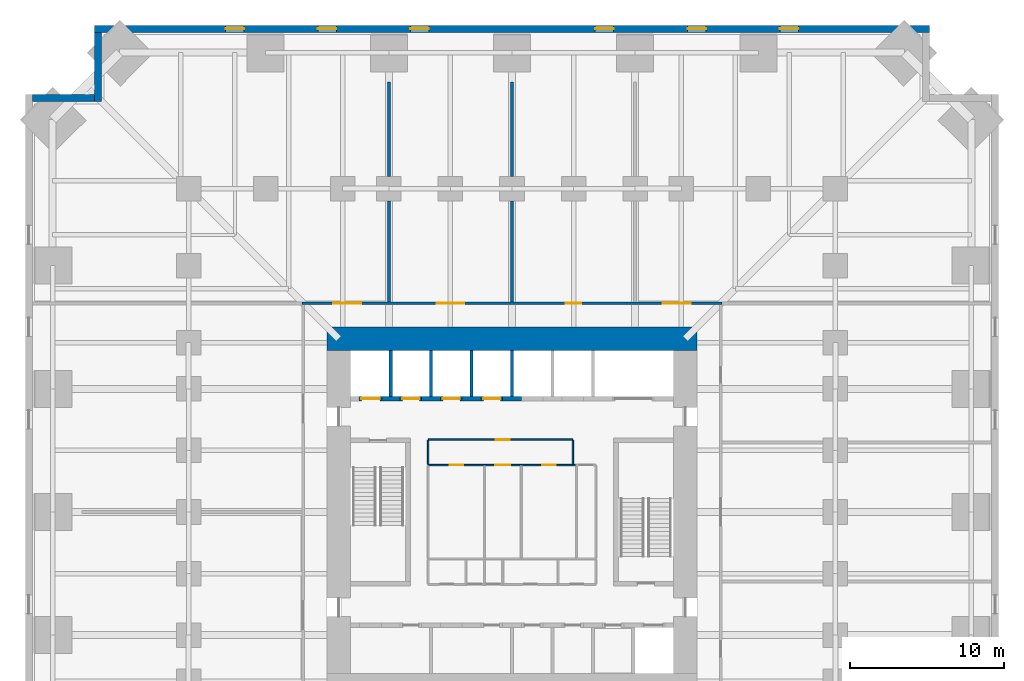
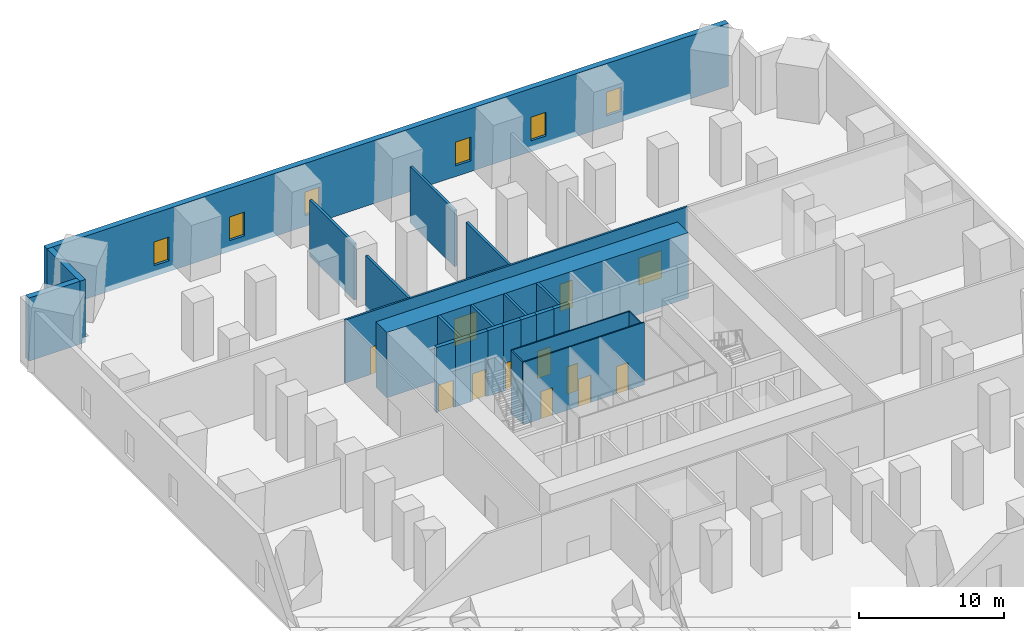
# One storey, part 6 of 8: 25 walls, 12 doors, 6 windows, 18 openings.
"""IFC4 building model written with IfcOpenShell, lengths in metres."""

from ifc_helpers import new_model, si_unit, direction, frame, frame_2d, origin, place, context, subcontext, project, spatial, rectangle, extrude, material, layer, layer_set, type_object, element, fill, save


model = new_model("IFC4")

# Units and contexts
model_context = context("Model", 3, precision=1e-05, world=origin(), true_north=direction((0.0, 1.0)))
body_context = subcontext(model_context, "Body", "Model", "MODEL_VIEW")
ifc_project = project(units=[si_unit("LENGTHUNIT", "METRE"), si_unit("AREAUNIT", "SQUARE_METRE"), si_unit("VOLUMEUNIT", "CUBIC_METRE"), si_unit("PLANEANGLEUNIT", "RADIAN"), si_unit("MASSUNIT", "GRAM", prefix="KILO")], contexts=[model_context])

# Site, building, storey
site_placement = place(None, origin())
site = spatial("IfcSite", under=ifc_project, at=site_placement, CompositionType="ELEMENT")
building_placement = place(site_placement, origin())
building = spatial("IfcBuilding", under=site, at=building_placement, Name="Peilmerk Tower", CompositionType="ELEMENT")
storey_placement = place(building_placement, frame((0.0, 0.0, 26.5)))
storey = spatial("IfcBuildingStorey", under=building, at=storey_placement, Name="L05", CompositionType="ELEMENT", Elevation=26.5)

# Wall, openings, windows
ifc_material_1 = material(Name="Precast concrete C45/55, board-marked finish", Category="concrete")
ifc_layer_1 = layer(ifc_material_1, 0.449951171875)
ifc_layer_set_1 = layer_set([ifc_layer_1], Name="Precast concrete C45/55, board-marked finish")
wall_type_1 = type_object("IfcWallType", Name="EW1 450 precast concrete facade wall, board-marked", PredefinedType="SOLIDWALL", material=ifc_layer_set_1)
wall_1_placement = place(storey_placement, frame((27.10009765625, 31.375, 0.0), z_axis=(0.0, 0.0, 1.0), x_axis=(-1.0, 0.0, 0.0)))
wall_1 = element("IfcWall", 1, at=wall_1_placement, inside=storey, type_object=wall_type_1, Name="Facade wall N L05", PredefinedType="SOLIDWALL", context=body_context, shape_type="SweptSolid", body=[
    extrude(rectangle(XDim=54.2001953125, YDim=0.449951171875, at=frame_2d((27.10009765625, 0.0))), origin(), (0.0, 0.0, 1.0), 5.300048828125),
])
opening_1_placement = place(wall_1_placement, frame((8.5, 0.0, 0.89990234375)))
opening_1 = element("IfcOpeningElement", 2, at=opening_1_placement, cuts=wall_1, Name="Opening W2", PredefinedType="OPENING", context=body_context, shape_type="SweptSolid", body=[
    extrude(rectangle(XDim=1.199951171875, YDim=2.0, at=frame_2d((0.60009765625, 1.0))), frame((0.0, 0.23486328125, 0.0), z_axis=(0.0, -1.0, 0.0), x_axis=(1.0, 0.0, 0.0)), (0.0, 0.0, 1.0), 0.469970703125),
])
opening_2_placement = place(wall_1_placement, frame((14.5, 0.0, 0.89990234375)))
opening_2 = element("IfcOpeningElement", 3, at=opening_2_placement, cuts=wall_1, Name="Opening W2", PredefinedType="OPENING", context=body_context, shape_type="SweptSolid", body=[
    extrude(rectangle(XDim=1.199951171875, YDim=2.0, at=frame_2d((0.60009765625, 1.0))), frame((0.0, 0.23486328125, 0.0), z_axis=(0.0, -1.0, 0.0), x_axis=(1.0, 0.0, 0.0)), (0.0, 0.0, 1.0), 0.469970703125),
])
opening_3_placement = place(wall_1_placement, frame((20.5, 0.0, 0.89990234375)))
opening_3 = element("IfcOpeningElement", 4, at=opening_3_placement, cuts=wall_1, Name="Opening W2", PredefinedType="OPENING", context=body_context, shape_type="SweptSolid", body=[
    extrude(rectangle(XDim=1.199951171875, YDim=2.0, at=frame_2d((0.60009765625, 1.0))), frame((0.0, 0.23486328125, 0.0), z_axis=(0.0, -1.0, 0.0), x_axis=(1.0, 0.0, 0.0)), (0.0, 0.0, 1.0), 0.469970703125),
])
opening_4_placement = place(wall_1_placement, frame((32.5, 0.0, 0.89990234375)))
opening_4 = element("IfcOpeningElement", 5, at=opening_4_placement, cuts=wall_1, Name="Opening W2", PredefinedType="OPENING", context=body_context, shape_type="SweptSolid", body=[
    extrude(rectangle(XDim=1.199951171875, YDim=2.0, at=frame_2d((0.60009765625, 1.0))), frame((0.0, 0.23486328125, 0.0), z_axis=(0.0, -1.0, 0.0), x_axis=(1.0, 0.0, 0.0)), (0.0, 0.0, 1.0), 0.469970703125),
])
opening_5_placement = place(wall_1_placement, frame((38.5, 0.0, 0.89990234375)))
opening_5 = element("IfcOpeningElement", 6, at=opening_5_placement, cuts=wall_1, Name="Opening W2", PredefinedType="OPENING", context=body_context, shape_type="SweptSolid", body=[
    extrude(rectangle(XDim=1.199951171875, YDim=2.0, at=frame_2d((0.60009765625, 1.0))), frame((0.0, 0.23486328125, 0.0), z_axis=(0.0, -1.0, 0.0), x_axis=(1.0, 0.0, 0.0)), (0.0, 0.0, 1.0), 0.469970703125),
])
opening_6_placement = place(wall_1_placement, frame((44.5, 0.0, 0.89990234375)))
opening_6 = element("IfcOpeningElement", 7, at=opening_6_placement, cuts=wall_1, Name="Opening W2", PredefinedType="OPENING", context=body_context, shape_type="SweptSolid", body=[
    extrude(rectangle(XDim=1.199951171875, YDim=2.0, at=frame_2d((0.60009765625, 1.0))), frame((0.0, 0.23486328125, 0.0), z_axis=(0.0, -1.0, 0.0), x_axis=(1.0, 0.0, 0.0)), (0.0, 0.0, 1.0), 0.469970703125),
])
ifc_material_2 = material(Name="Aluminium frame, clear double glazing", Category="aluminium")
window_type = type_object("IfcWindowType", Name="W2 1200x2000 data hall slot window", PartitioningType="SINGLE_PANEL", PredefinedType="WINDOW", material=ifc_material_2)
window_1_placement = place(opening_1_placement, origin())
window_1 = element("IfcWindow", 8, at=window_1_placement, inside=storey, type_object=window_type, Name="Window W2 L05", OverallHeight=2.0, OverallWidth=1.199951171875, PartitioningType="SINGLE_PANEL", PredefinedType="WINDOW", context=body_context, shape_type="SweptSolid", body=[
    extrude(rectangle(XDim=1.199951171875, YDim=2.0, at=frame_2d((0.60009765625, 1.0))), frame((0.0, 0.030029296875, 0.0), z_axis=(0.0, -1.0, 0.0), x_axis=(1.0, 0.0, 0.0)), (0.0, 0.0, 1.0), 0.06005859375),
])
fill(opening_1, window_1)
window_2_placement = place(opening_2_placement, origin())
window_2 = element("IfcWindow", 9, at=window_2_placement, inside=storey, type_object=window_type, Name="Window W2 L05", OverallHeight=2.0, OverallWidth=1.199951171875, PartitioningType="SINGLE_PANEL", PredefinedType="WINDOW", context=body_context, shape_type="SweptSolid", body=[
    extrude(rectangle(XDim=1.199951171875, YDim=2.0, at=frame_2d((0.60009765625, 1.0))), frame((0.0, 0.030029296875, 0.0), z_axis=(0.0, -1.0, 0.0), x_axis=(1.0, 0.0, 0.0)), (0.0, 0.0, 1.0), 0.06005859375),
])
fill(opening_2, window_2)
window_3_placement = place(opening_3_placement, origin())
window_3 = element("IfcWindow", 10, at=window_3_placement, inside=storey, type_object=window_type, Name="Window W2 L05", OverallHeight=2.0, OverallWidth=1.199951171875, PartitioningType="SINGLE_PANEL", PredefinedType="WINDOW", context=body_context, shape_type="SweptSolid", body=[
    extrude(rectangle(XDim=1.199951171875, YDim=2.0, at=frame_2d((0.60009765625, 1.0))), frame((0.0, 0.030029296875, 0.0), z_axis=(0.0, -1.0, 0.0), x_axis=(1.0, 0.0, 0.0)), (0.0, 0.0, 1.0), 0.06005859375),
])
fill(opening_3, window_3)
window_4_placement = place(opening_4_placement, origin())
window_4 = element("IfcWindow", 11, at=window_4_placement, inside=storey, type_object=window_type, Name="Window W2 L05", OverallHeight=2.0, OverallWidth=1.199951171875, PartitioningType="SINGLE_PANEL", PredefinedType="WINDOW", context=body_context, shape_type="SweptSolid", body=[
    extrude(rectangle(XDim=1.199951171875, YDim=2.0, at=frame_2d((0.60009765625, 1.0))), frame((0.0, 0.030029296875, 0.0), z_axis=(0.0, -1.0, 0.0), x_axis=(1.0, 0.0, 0.0)), (0.0, 0.0, 1.0), 0.06005859375),
])
fill(opening_4, window_4)
window_5_placement = place(opening_5_placement, origin())
window_5 = element("IfcWindow", 12, at=window_5_placement, inside=storey, type_object=window_type, Name="Window W2 L05", OverallHeight=2.0, OverallWidth=1.199951171875, PartitioningType="SINGLE_PANEL", PredefinedType="WINDOW", context=body_context, shape_type="SweptSolid", body=[
    extrude(rectangle(XDim=1.199951171875, YDim=2.0, at=frame_2d((0.60009765625, 1.0))), frame((0.0, 0.030029296875, 0.0), z_axis=(0.0, -1.0, 0.0), x_axis=(1.0, 0.0, 0.0)), (0.0, 0.0, 1.0), 0.06005859375),
])
fill(opening_5, window_5)
window_6_placement = place(opening_6_placement, origin())
window_6 = element("IfcWindow", 13, at=window_6_placement, inside=storey, type_object=window_type, Name="Window W2 L05", OverallHeight=2.0, OverallWidth=1.199951171875, PartitioningType="SINGLE_PANEL", PredefinedType="WINDOW", context=body_context, shape_type="SweptSolid", body=[
    extrude(rectangle(XDim=1.199951171875, YDim=2.0, at=frame_2d((0.60009765625, 1.0))), frame((0.0, 0.030029296875, 0.0), z_axis=(0.0, -1.0, 0.0), x_axis=(1.0, 0.0, 0.0)), (0.0, 0.0, 1.0), 0.06005859375),
])
fill(opening_6, window_6)

# Walls
wall_2_placement = place(storey_placement, frame((-26.875, 26.64990234375, 0.0), z_axis=(0.0, 0.0, 1.0), x_axis=(0.0, 1.0, 0.0)))
element("IfcWall", 14, at=wall_2_placement, inside=storey, type_object=wall_type_1, Name="Facade wall NWA L05", PredefinedType="SOLIDWALL", context=body_context, shape_type="SweptSolid", body=[
    extrude(rectangle(XDim=4.5, YDim=0.449951171875, at=frame_2d((2.25, 0.0))), origin(), (0.0, 0.0, 1.0), 5.300048828125),
])
wall_3_placement = place(storey_placement, frame((-27.10009765625, 26.875, 0.0), z_axis=(0.0, 0.0, 1.0), x_axis=(-1.0, 0.0, 0.0)))
element("IfcWall", 15, at=wall_3_placement, inside=storey, type_object=wall_type_1, Name="Facade wall NWB L05", PredefinedType="SOLIDWALL", context=body_context, shape_type="SweptSolid", body=[
    extrude(rectangle(XDim=4.0498046875, YDim=0.449951171875, at=frame_2d((2.02490234375, 0.0))), origin(), (0.0, 0.0, 1.0), 5.300048828125),
])

# Wall, openings, doors
ifc_material_3 = material(Name="Calcium silicate block", Category="masonry")
ifc_layer_2 = layer(ifc_material_3, 0.14990234375)
ifc_layer_set_2 = layer_set([ifc_layer_2], Name="Calcium silicate block")
wall_type_2 = type_object("IfcWallType", Name="IW1 150 corridor partition, EI 60", PredefinedType="PARTITIONING", material=ifc_layer_set_2)
wall_4_placement = place(storey_placement, frame((-13.625, 13.550048828125, 0.0), z_axis=(0.0, 0.0, 1.0), x_axis=(1.0, 0.0, 0.0)))
wall_4 = element("IfcWall", 16, at=wall_4_placement, inside=storey, type_object=wall_type_2, Name="Corridor wall N L05", PredefinedType="PARTITIONING", context=body_context, shape_type="SweptSolid", body=[
    extrude(rectangle(XDim=27.25, YDim=0.14990234375, at=frame_2d((13.625, 0.0))), origin(), (0.0, 0.0, 1.0), 5.300048828125),
])
opening_7_placement = place(wall_4_placement, frame((2.02490234375, 0.0, 0.0)))
opening_7 = element("IfcOpeningElement", 17, at=opening_7_placement, cuts=wall_4, Name="Opening D2", PredefinedType="OPENING", context=body_context, shape_type="SweptSolid", body=[
    extrude(rectangle(XDim=1.800048828125, YDim=2.300048828125, at=frame_2d((0.89990234375, 1.14990234375))), frame((0.0, 0.0849609375, 0.0), z_axis=(0.0, -1.0, 0.0), x_axis=(1.0, 0.0, 0.0)), (0.0, 0.0, 1.0), 0.169921875),
])
opening_8_placement = place(wall_4_placement, frame((8.72509765625, 0.0, 0.0)))
opening_8 = element("IfcOpeningElement", 18, at=opening_8_placement, cuts=wall_4, Name="Opening D2", PredefinedType="OPENING", context=body_context, shape_type="SweptSolid", body=[
    extrude(rectangle(XDim=1.800048828125, YDim=2.300048828125, at=frame_2d((0.89990234375, 1.14990234375))), frame((0.0, 0.0849609375, 0.0), z_axis=(0.0, -1.0, 0.0), x_axis=(1.0, 0.0, 0.0)), (0.0, 0.0, 1.0), 0.169921875),
])
opening_9_placement = place(wall_4_placement, frame((17.125, 0.0, 0.0)))
opening_9 = element("IfcOpeningElement", 19, at=opening_9_placement, cuts=wall_4, Name="Opening D1", PredefinedType="OPENING", context=body_context, shape_type="SweptSolid", body=[
    extrude(rectangle(XDim=1.0, YDim=2.300048828125, at=frame_2d((0.5, 1.14990234375))), frame((0.0, 0.0849609375, 0.0), z_axis=(0.0, -1.0, 0.0), x_axis=(1.0, 0.0, 0.0)), (0.0, 0.0, 1.0), 0.169921875),
])
opening_10_placement = place(wall_4_placement, frame((23.425048828125, 0.0, 0.0)))
opening_10 = element("IfcOpeningElement", 20, at=opening_10_placement, cuts=wall_4, Name="Opening D2", PredefinedType="OPENING", context=body_context, shape_type="SweptSolid", body=[
    extrude(rectangle(XDim=1.800048828125, YDim=2.300048828125, at=frame_2d((0.89990234375, 1.14990234375))), frame((0.0, 0.0849609375, 0.0), z_axis=(0.0, -1.0, 0.0), x_axis=(1.0, 0.0, 0.0)), (0.0, 0.0, 1.0), 0.169921875),
])
ifc_material_4 = material(Name="Timber door in steel frame", Category="steel")
door_type_1 = type_object("IfcDoorType", Name="D1 1000x2300 room door, EI2 30", OperationType="SINGLE_SWING_LEFT", PredefinedType="DOOR", material=ifc_material_4)
door_1_placement = place(opening_9_placement, origin())
door_1 = element("IfcDoor", 21, at=door_1_placement, inside=storey, type_object=door_type_1, Name="Door Staging room L05", OperationType="SINGLE_SWING_LEFT", OverallHeight=2.300048828125, OverallWidth=1.0, PredefinedType="DOOR", context=body_context, shape_type="SweptSolid", body=[
    extrude(rectangle(XDim=1.0, YDim=2.300048828125, at=frame_2d((0.5, 1.14990234375))), frame((0.0, 0.02490234375, 0.0), z_axis=(0.0, -1.0, 0.0), x_axis=(1.0, 0.0, 0.0)), (0.0, 0.0, 1.0), 0.050048828125),
])
fill(opening_9, door_1)
ifc_material_5 = material(Name="Steel door in steel frame", Category="steel")
door_type_2 = type_object("IfcDoorType", Name="D2 1800x2300 double door, EI2 60", OperationType="DOUBLE_DOOR_DOUBLE_SWING", PredefinedType="DOOR", material=ifc_material_5)
door_2_placement = place(opening_7_placement, origin())
door_2 = element("IfcDoor", 22, at=door_2_placement, inside=storey, type_object=door_type_2, Name="Door Computer room A1 L05", OperationType="DOUBLE_DOOR_DOUBLE_SWING", OverallHeight=2.300048828125, OverallWidth=1.800048828125, PredefinedType="DOOR", context=body_context, shape_type="SweptSolid", body=[
    extrude(rectangle(XDim=1.800048828125, YDim=2.300048828125, at=frame_2d((0.89990234375, 1.14990234375))), frame((0.0, 0.02490234375, 0.0), z_axis=(0.0, -1.0, 0.0), x_axis=(1.0, 0.0, 0.0)), (0.0, 0.0, 1.0), 0.050048828125),
])
fill(opening_7, door_2)
door_3_placement = place(opening_8_placement, origin())
door_3 = element("IfcDoor", 23, at=door_3_placement, inside=storey, type_object=door_type_2, Name="Door Build room L05", OperationType="DOUBLE_DOOR_DOUBLE_SWING", OverallHeight=2.300048828125, OverallWidth=1.800048828125, PredefinedType="DOOR", context=body_context, shape_type="SweptSolid", body=[
    extrude(rectangle(XDim=1.800048828125, YDim=2.300048828125, at=frame_2d((0.89990234375, 1.14990234375))), frame((0.0, 0.02490234375, 0.0), z_axis=(0.0, -1.0, 0.0), x_axis=(1.0, 0.0, 0.0)), (0.0, 0.0, 1.0), 0.050048828125),
])
fill(opening_8, door_3)
door_4_placement = place(opening_10_placement, origin())
door_4 = element("IfcDoor", 24, at=door_4_placement, inside=storey, type_object=door_type_2, Name="Door Computer room A2 L05", OperationType="DOUBLE_DOOR_DOUBLE_SWING", OverallHeight=2.300048828125, OverallWidth=1.800048828125, PredefinedType="DOOR", context=body_context, shape_type="SweptSolid", body=[
    extrude(rectangle(XDim=1.800048828125, YDim=2.300048828125, at=frame_2d((0.89990234375, 1.14990234375))), frame((0.0, 0.02490234375, 0.0), z_axis=(0.0, -1.0, 0.0), x_axis=(1.0, 0.0, 0.0)), (0.0, 0.0, 1.0), 0.050048828125),
])
fill(opening_10, door_4)

# Walls
ifc_layer_3 = layer(ifc_material_3, 0.199951171875)
ifc_layer_set_3 = layer_set([ifc_layer_3], Name="Calcium silicate block")
wall_type_3 = type_object("IfcWallType", Name="IW2 200 room separating wall, EI 120", PredefinedType="PARTITIONING", material=ifc_layer_set_3)
wall_5_placement = place(storey_placement, frame((-8.0, 13.625, 0.0), z_axis=(0.0, 0.0, 1.0), x_axis=(0.0, 1.0, 0.0)))
element("IfcWall", 25, at=wall_5_placement, inside=storey, type_object=wall_type_3, Name="Room separating wall N1 L05", PredefinedType="PARTITIONING", context=body_context, shape_type="SweptSolid", body=[
    extrude(rectangle(XDim=6.574951171875, YDim=0.199951171875, at=frame_2d((3.28759765625, 0.0))), origin(), (0.0, 0.0, 1.0), 4.73095703125),
])
wall_6_placement = place(storey_placement, frame((-8.0, 21.800048828125, 0.0), z_axis=(0.0, 0.0, 1.0), x_axis=(0.0, 1.0, 0.0)))
element("IfcWall", 26, at=wall_6_placement, inside=storey, type_object=wall_type_3, Name="Room separating wall N1b L05", PredefinedType="PARTITIONING", context=body_context, shape_type="SweptSolid", body=[
    extrude(rectangle(XDim=6.109375, YDim=0.199951171875, at=frame_2d((3.0546875, 0.0))), origin(), (0.0, 0.0, 1.0), 4.73095703125),
])
wall_7_placement = place(storey_placement, frame((0.0, 13.625, 0.0), z_axis=(0.0, 0.0, 1.0), x_axis=(0.0, 1.0, 0.0)))
element("IfcWall", 27, at=wall_7_placement, inside=storey, type_object=wall_type_3, Name="Room separating wall N2 L05", PredefinedType="PARTITIONING", context=body_context, shape_type="SweptSolid", body=[
    extrude(rectangle(XDim=6.574951171875, YDim=0.199951171875, at=frame_2d((3.28759765625, 0.0))), origin(), (0.0, 0.0, 1.0), 4.73095703125),
])
wall_8_placement = place(storey_placement, frame((0.0, 21.800048828125, 0.0), z_axis=(0.0, 0.0, 1.0), x_axis=(0.0, 1.0, 0.0)))
element("IfcWall", 28, at=wall_8_placement, inside=storey, type_object=wall_type_3, Name="Room separating wall N2b L05", PredefinedType="PARTITIONING", context=body_context, shape_type="SweptSolid", body=[
    extrude(rectangle(XDim=6.109375, YDim=0.199951171875, at=frame_2d((3.0546875, 0.0))), origin(), (0.0, 0.0, 1.0), 4.73095703125),
])

# Wall, openings, doors
ifc_material_6 = material(Name="Plasterboard on steel studs", Category="steel")
ifc_layer_4 = layer(ifc_material_6, 0.10009765625)
ifc_layer_set_4 = layer_set([ifc_layer_4], Name="Plasterboard on steel studs")
wall_type_4 = type_object("IfcWallType", Name="IW4 100 WC partition", PredefinedType="PARTITIONING", material=ifc_layer_set_4)
wall_9_placement = place(storey_placement, frame((-5.449951171875, 3.050048828125, 0.0), z_axis=(0.0, 0.0, 1.0), x_axis=(1.0, 0.0, 0.0)))
wall_9 = element("IfcWall", 29, at=wall_9_placement, inside=storey, type_object=wall_type_4, Name="WC wall L05", PredefinedType="PARTITIONING", context=body_context, shape_type="SweptSolid", body=[
    extrude(rectangle(XDim=9.599853515625, YDim=0.10009765625, at=frame_2d((4.7998046875, 0.0))), origin(), (0.0, 0.0, 1.0), 5.25),
])
opening_11_placement = place(wall_9_placement, frame((1.39990234375, 0.0, 0.0)))
opening_11 = element("IfcOpeningElement", 30, at=opening_11_placement, cuts=wall_9, Name="Opening D5", PredefinedType="OPENING", context=body_context, shape_type="SweptSolid", body=[
    extrude(rectangle(XDim=0.89990234375, YDim=2.300048828125, at=frame_2d((0.449951171875, 1.14990234375))), frame((0.0, 0.06005859375, 0.0), z_axis=(0.0, -1.0, 0.0), x_axis=(1.0, 0.0, 0.0)), (0.0, 0.0, 1.0), 0.1201171875),
])
opening_12_placement = place(wall_9_placement, frame((4.35009765625, 0.0, 0.0)))
opening_12 = element("IfcOpeningElement", 31, at=opening_12_placement, cuts=wall_9, Name="Opening D6", PredefinedType="OPENING", context=body_context, shape_type="SweptSolid", body=[
    extrude(rectangle(XDim=1.0, YDim=2.300048828125, at=frame_2d((0.5, 1.14990234375))), frame((0.0, 0.06005859375, 0.0), z_axis=(0.0, -1.0, 0.0), x_axis=(1.0, 0.0, 0.0)), (0.0, 0.0, 1.0), 0.1201171875),
])
opening_13_placement = place(wall_9_placement, frame((7.39990234375, 0.0, 0.0)))
opening_13 = element("IfcOpeningElement", 32, at=opening_13_placement, cuts=wall_9, Name="Opening D5", PredefinedType="OPENING", context=body_context, shape_type="SweptSolid", body=[
    extrude(rectangle(XDim=0.89990234375, YDim=2.300048828125, at=frame_2d((0.449951171875, 1.14990234375))), frame((0.0, 0.06005859375, 0.0), z_axis=(0.0, -1.0, 0.0), x_axis=(1.0, 0.0, 0.0)), (0.0, 0.0, 1.0), 0.1201171875),
])
door_type_3 = type_object("IfcDoorType", Name="D5 900x2300 WC door", OperationType="SINGLE_SWING_LEFT", PredefinedType="DOOR", material=ifc_material_4)
door_5_placement = place(opening_11_placement, frame((0.89990234375, 0.0, 0.0), z_axis=(0.0, 0.0, 1.0), x_axis=(-1.0, 0.0, 0.0)))
door_5 = element("IfcDoor", 33, at=door_5_placement, inside=storey, type_object=door_type_3, Name="Female toilets door L05", OperationType="SINGLE_SWING_LEFT", OverallHeight=2.300048828125, OverallWidth=0.89990234375, PredefinedType="DOOR", context=body_context, shape_type="SweptSolid", body=[
    extrude(rectangle(XDim=0.89990234375, YDim=2.300048828125, at=frame_2d((0.449951171875, 1.14990234375))), frame((0.0, 0.02490234375, 0.0), z_axis=(0.0, -1.0, 0.0), x_axis=(1.0, 0.0, 0.0)), (0.0, 0.0, 1.0), 0.050048828125),
])
fill(opening_11, door_5)
door_6_placement = place(opening_13_placement, frame((0.89990234375, 0.0, 0.0), z_axis=(0.0, 0.0, 1.0), x_axis=(-1.0, 0.0, 0.0)))
door_6 = element("IfcDoor", 34, at=door_6_placement, inside=storey, type_object=door_type_3, Name="Male toilets door L05", OperationType="SINGLE_SWING_LEFT", OverallHeight=2.300048828125, OverallWidth=0.89990234375, PredefinedType="DOOR", context=body_context, shape_type="SweptSolid", body=[
    extrude(rectangle(XDim=0.89990234375, YDim=2.300048828125, at=frame_2d((0.449951171875, 1.14990234375))), frame((0.0, 0.02490234375, 0.0), z_axis=(0.0, -1.0, 0.0), x_axis=(1.0, 0.0, 0.0)), (0.0, 0.0, 1.0), 0.050048828125),
])
fill(opening_13, door_6)
door_type_4 = type_object("IfcDoorType", Name="D6 1000x2300 accessible WC door", OperationType="SLIDING_TO_LEFT", PredefinedType="DOOR", material=ifc_material_4)
door_7_placement = place(opening_12_placement, frame((1.0, 0.0, 0.0), z_axis=(0.0, 0.0, 1.0), x_axis=(-1.0, 0.0, 0.0)))
door_7 = element("IfcDoor", 35, at=door_7_placement, inside=storey, type_object=door_type_4, Name="Accessible WC door L05", OperationType="SLIDING_TO_LEFT", OverallHeight=2.300048828125, OverallWidth=1.0, PredefinedType="DOOR", context=body_context, shape_type="SweptSolid", body=[
    extrude(rectangle(XDim=1.0, YDim=2.300048828125, at=frame_2d((0.5, 1.14990234375))), frame((0.0, 0.02490234375, 0.0), z_axis=(0.0, -1.0, 0.0), x_axis=(1.0, 0.0, 0.0)), (0.0, 0.0, 1.0), 0.050048828125),
])
fill(opening_12, door_7)

# Wall, opening, door
ifc_material_7 = material(Name="Fire-resisting plasterboard on steel studs", Category="steel")
ifc_layer_5 = layer(ifc_material_7, 0.10009765625)
ifc_layer_set_5 = layer_set([ifc_layer_5], Name="Fire-resisting plasterboard on steel studs")
wall_type_5 = type_object("IfcWallType", Name="IW9 100 WC lobby wall, EI 30", PredefinedType="PARTITIONING", material=ifc_layer_set_5)
wall_10_placement = place(storey_placement, frame((-5.449951171875, 4.699951171875, 0.0), z_axis=(0.0, 0.0, 1.0), x_axis=(1.0, 0.0, 0.0)))
wall_10 = element("IfcWall", 36, at=wall_10_placement, inside=storey, type_object=wall_type_5, Name="WC lobby wall L05", PredefinedType="PARTITIONING", context=body_context, shape_type="SweptSolid", body=[
    extrude(rectangle(XDim=9.39990234375, YDim=0.10009765625, at=frame_2d((4.699951171875, 0.0))), origin(), (0.0, 0.0, 1.0), 5.25),
])
opening_14_placement = place(wall_10_placement, frame((4.39990234375, 0.0, 0.0)))
opening_14 = element("IfcOpeningElement", 37, at=opening_14_placement, cuts=wall_10, Name="Opening D11", PredefinedType="OPENING", context=body_context, shape_type="SweptSolid", body=[
    extrude(rectangle(XDim=0.89990234375, YDim=2.300048828125, at=frame_2d((0.449951171875, 1.14990234375))), frame((0.0, 0.06005859375, 0.0), z_axis=(0.0, -1.0, 0.0), x_axis=(1.0, 0.0, 0.0)), (0.0, 0.0, 1.0), 0.1201171875),
])
door_type_5 = type_object("IfcDoorType", Name="D11 900x2300 WC lobby door, EI2 30", OperationType="SINGLE_SWING_LEFT", PredefinedType="DOOR", material=ifc_material_4)
door_8_placement = place(opening_14_placement, frame((0.89990234375, 0.0, 0.0), z_axis=(0.0, 0.0, 1.0), x_axis=(-1.0, 0.0, 0.0)))
door_8 = element("IfcDoor", 38, at=door_8_placement, inside=storey, type_object=door_type_5, Name="WC lobby door L05", OperationType="SINGLE_SWING_LEFT", OverallHeight=2.300048828125, OverallWidth=0.89990234375, PredefinedType="DOOR", context=body_context, shape_type="SweptSolid", body=[
    extrude(rectangle(XDim=0.89990234375, YDim=2.300048828125, at=frame_2d((0.449951171875, 1.14990234375))), frame((0.0, 0.02490234375, 0.0), z_axis=(0.0, -1.0, 0.0), x_axis=(1.0, 0.0, 0.0)), (0.0, 0.0, 1.0), 0.050048828125),
])
fill(opening_14, door_8)

# Walls
for number, where, z_axis, x_axis, name in (
    (39, (-5.449951171875, 3.10009765625, 0.0), (0.0, 0.0, 1.0), (0.0, 1.0, 0.0), "WC lobby wall L05"),
    (40, (3.949951171875, 3.10009765625, 0.0), (0.0, 0.0, 1.0), (0.0, 1.0, 0.0), "WC lobby wall L05"),
):
    element("IfcWall", number, at=place(storey_placement, frame(where, z_axis=z_axis, x_axis=x_axis)), inside=storey, type_object=wall_type_5, Name=name, PredefinedType="PARTITIONING", context=body_context, shape_type="SweptSolid", body=[
        extrude(rectangle(XDim=1.5498046875, YDim=0.10009765625, at=frame_2d((0.77490234375, 0.0))), origin(), (0.0, 0.0, 1.0), 5.25),
    ])
ifc_layer_6 = layer(ifc_material_3, 0.199951171875)
ifc_layer_set_6 = layer_set([ifc_layer_6], Name="Calcium silicate block")
wall_type_6 = type_object("IfcWallType", Name="SH1 200 shaft dividing wall, EI 120", PredefinedType="PARTITIONING", material=ifc_layer_set_6)
for number, where, z_axis, x_axis, name in (
    (41, (-7.875, 7.5, 0.0), (0.0, 0.0, 1.0), (0.0, 1.0, 0.0), "Shaft wall N FL1 L05"),
    (42, (-5.25, 7.5, 0.0), (0.0, 0.0, 1.0), (0.0, 1.0, 0.0), "Shaft wall N A1 L05"),
    (43, (-2.625, 7.5, 0.0), (0.0, 0.0, 1.0), (0.0, 1.0, 0.0), "Shaft wall N A2 L05"),
    (44, (0.0, 7.5, 0.0), (0.0, 0.0, 1.0), (0.0, 1.0, 0.0), "Shaft wall N A3 L05"),
):
    element("IfcWall", number, at=place(storey_placement, frame(where, z_axis=z_axis, x_axis=x_axis)), inside=storey, type_object=wall_type_6, Name=name, PredefinedType="PARTITIONING", context=body_context, shape_type="SweptSolid", body=[
        extrude(rectangle(XDim=3.0, YDim=0.199951171875, at=frame_2d((1.5, 0.0))), origin(), (0.0, 0.0, 1.0), 5.5),
    ])

# Wall, opening, door
ifc_layer_7 = layer(ifc_material_3, 0.300048828125)
ifc_layer_set_7 = layer_set([ifc_layer_7], Name="Calcium silicate block")
wall_type_7 = type_object("IfcWallType", Name="SH2 300 lift landing door panel, EI 120", PredefinedType="PARTITIONING", material=ifc_layer_set_7)
wall_11_placement = place(storey_placement, frame((-9.9375, 7.35009765625, 0.0), z_axis=(0.0, 0.0, 1.0), x_axis=(1.0, 0.0, 0.0)))
wall_11 = element("IfcWall", 45, at=wall_11_placement, inside=storey, type_object=wall_type_7, Name="Lift door panel N FL1 L05", PredefinedType="PARTITIONING", context=body_context, shape_type="SweptSolid", body=[
    extrude(rectangle(XDim=1.5, YDim=0.300048828125, at=frame_2d((0.75, 0.0))), origin(), (0.0, 0.0, 1.0), 5.5),
])
opening_15_placement = place(wall_11_placement, frame((0.14990234375, 0.0, 0.0)))
opening_15 = element("IfcOpeningElement", 46, at=opening_15_placement, cuts=wall_11, Name="Opening LD2", PredefinedType="OPENING", context=body_context, shape_type="SweptSolid", body=[
    extrude(rectangle(XDim=1.199951171875, YDim=2.300048828125, at=frame_2d((0.60009765625, 1.14990234375))), frame((0.0, 0.159912109375, 0.0), z_axis=(0.0, -1.0, 0.0), x_axis=(1.0, 0.0, 0.0)), (0.0, 0.0, 1.0), 0.320068359375),
])
ifc_material_8 = material(Name="Stainless steel landing door", Category="steel")
door_type_6 = type_object("IfcDoorType", Name="LD2 1200x2300 lift landing door, sliding, EI2 60", OperationType="SLIDING_TO_LEFT", PredefinedType="DOOR", material=ifc_material_8)
door_9_placement = place(opening_15_placement, frame((1.199951171875, 0.0, 0.0), z_axis=(0.0, 0.0, 1.0), x_axis=(-1.0, 0.0, 0.0)))
door_9 = element("IfcDoor", 47, at=door_9_placement, inside=storey, type_object=door_type_6, Name="Lift landing door FL1 L05", OperationType="SLIDING_TO_LEFT", OverallHeight=2.300048828125, OverallWidth=1.199951171875, PredefinedType="DOOR", context=body_context, shape_type="SweptSolid", body=[
    extrude(rectangle(XDim=1.199951171875, YDim=2.300048828125, at=frame_2d((0.60009765625, 1.14990234375))), frame((0.0, 0.02490234375, 0.0), z_axis=(0.0, -1.0, 0.0), x_axis=(1.0, 0.0, 0.0)), (0.0, 0.0, 1.0), 0.050048828125),
])
fill(opening_15, door_9)

wall_12_placement = place(storey_placement, frame((-7.262451171875, 7.35009765625, 0.0), z_axis=(0.0, 0.0, 1.0), x_axis=(1.0, 0.0, 0.0)))
wall_12 = element("IfcWall", 48, at=wall_12_placement, inside=storey, type_object=wall_type_7, Name="Lift door panel N A1 L05", PredefinedType="PARTITIONING", context=body_context, shape_type="SweptSolid", body=[
    extrude(rectangle(XDim=1.39990234375, YDim=0.300048828125, at=frame_2d((0.699951171875, 0.0))), origin(), (0.0, 0.0, 1.0), 5.5),
])
opening_16_placement = place(wall_12_placement, frame((0.14990234375, 0.0, 0.0)))
opening_16 = element("IfcOpeningElement", 49, at=opening_16_placement, cuts=wall_12, Name="Opening LD1", PredefinedType="OPENING", context=body_context, shape_type="SweptSolid", body=[
    extrude(rectangle(XDim=1.10009765625, YDim=2.300048828125, at=frame_2d((0.550048828125, 1.14990234375))), frame((0.0, 0.159912109375, 0.0), z_axis=(0.0, -1.0, 0.0), x_axis=(1.0, 0.0, 0.0)), (0.0, 0.0, 1.0), 0.320068359375),
])
door_type_7 = type_object("IfcDoorType", Name="LD1 1100x2300 lift landing door, sliding, EI2 60", OperationType="SLIDING_TO_LEFT", PredefinedType="DOOR", material=ifc_material_8)
door_10_placement = place(opening_16_placement, frame((1.10009765625, 0.0, 0.0), z_axis=(0.0, 0.0, 1.0), x_axis=(-1.0, 0.0, 0.0)))
door_10 = element("IfcDoor", 50, at=door_10_placement, inside=storey, type_object=door_type_7, Name="Lift landing door A1 L05", OperationType="SLIDING_TO_LEFT", OverallHeight=2.300048828125, OverallWidth=1.10009765625, PredefinedType="DOOR", context=body_context, shape_type="SweptSolid", body=[
    extrude(rectangle(XDim=1.10009765625, YDim=2.300048828125, at=frame_2d((0.550048828125, 1.14990234375))), frame((0.0, 0.02490234375, 0.0), z_axis=(0.0, -1.0, 0.0), x_axis=(1.0, 0.0, 0.0)), (0.0, 0.0, 1.0), 0.050048828125),
])
fill(opening_16, door_10)

wall_13_placement = place(storey_placement, frame((-4.637451171875, 7.35009765625, 0.0), z_axis=(0.0, 0.0, 1.0), x_axis=(1.0, 0.0, 0.0)))
wall_13 = element("IfcWall", 51, at=wall_13_placement, inside=storey, type_object=wall_type_7, Name="Lift door panel N A2 L05", PredefinedType="PARTITIONING", context=body_context, shape_type="SweptSolid", body=[
    extrude(rectangle(XDim=1.39990234375, YDim=0.300048828125, at=frame_2d((0.699951171875, 0.0))), origin(), (0.0, 0.0, 1.0), 5.5),
])
opening_17_placement = place(wall_13_placement, frame((0.14990234375, 0.0, 0.0)))
opening_17 = element("IfcOpeningElement", 52, at=opening_17_placement, cuts=wall_13, Name="Opening LD1", PredefinedType="OPENING", context=body_context, shape_type="SweptSolid", body=[
    extrude(rectangle(XDim=1.10009765625, YDim=2.300048828125, at=frame_2d((0.550048828125, 1.14990234375))), frame((0.0, 0.159912109375, 0.0), z_axis=(0.0, -1.0, 0.0), x_axis=(1.0, 0.0, 0.0)), (0.0, 0.0, 1.0), 0.320068359375),
])
door_11_placement = place(opening_17_placement, frame((1.10009765625, 0.0, 0.0), z_axis=(0.0, 0.0, 1.0), x_axis=(-1.0, 0.0, 0.0)))
door_11 = element("IfcDoor", 53, at=door_11_placement, inside=storey, type_object=door_type_7, Name="Lift landing door A2 L05", OperationType="SLIDING_TO_LEFT", OverallHeight=2.300048828125, OverallWidth=1.10009765625, PredefinedType="DOOR", context=body_context, shape_type="SweptSolid", body=[
    extrude(rectangle(XDim=1.10009765625, YDim=2.300048828125, at=frame_2d((0.550048828125, 1.14990234375))), frame((0.0, 0.02490234375, 0.0), z_axis=(0.0, -1.0, 0.0), x_axis=(1.0, 0.0, 0.0)), (0.0, 0.0, 1.0), 0.050048828125),
])
fill(opening_17, door_11)

wall_14_placement = place(storey_placement, frame((-2.012451171875, 7.35009765625, 0.0), z_axis=(0.0, 0.0, 1.0), x_axis=(1.0, 0.0, 0.0)))
wall_14 = element("IfcWall", 54, at=wall_14_placement, inside=storey, type_object=wall_type_7, Name="Lift door panel N A3 L05", PredefinedType="PARTITIONING", context=body_context, shape_type="SweptSolid", body=[
    extrude(rectangle(XDim=1.39990234375, YDim=0.300048828125, at=frame_2d((0.699951171875, 0.0))), origin(), (0.0, 0.0, 1.0), 5.5),
])
opening_18_placement = place(wall_14_placement, frame((0.14990234375, 0.0, 0.0)))
opening_18 = element("IfcOpeningElement", 55, at=opening_18_placement, cuts=wall_14, Name="Opening LD1", PredefinedType="OPENING", context=body_context, shape_type="SweptSolid", body=[
    extrude(rectangle(XDim=1.10009765625, YDim=2.300048828125, at=frame_2d((0.550048828125, 1.14990234375))), frame((0.0, 0.159912109375, 0.0), z_axis=(0.0, -1.0, 0.0), x_axis=(1.0, 0.0, 0.0)), (0.0, 0.0, 1.0), 0.320068359375),
])
door_12_placement = place(opening_18_placement, frame((1.10009765625, 0.0, 0.0), z_axis=(0.0, 0.0, 1.0), x_axis=(-1.0, 0.0, 0.0)))
door_12 = element("IfcDoor", 56, at=door_12_placement, inside=storey, type_object=door_type_7, Name="Lift landing door A3 L05", OperationType="SLIDING_TO_LEFT", OverallHeight=2.300048828125, OverallWidth=1.10009765625, PredefinedType="DOOR", context=body_context, shape_type="SweptSolid", body=[
    extrude(rectangle(XDim=1.10009765625, YDim=2.300048828125, at=frame_2d((0.550048828125, 1.14990234375))), frame((0.0, 0.02490234375, 0.0), z_axis=(0.0, -1.0, 0.0), x_axis=(1.0, 0.0, 0.0)), (0.0, 0.0, 1.0), 0.050048828125),
])
fill(opening_18, door_12)

# Walls
ifc_material_9 = material(Name="Concrete C55/67", Category="concrete")
ifc_layer_8 = layer(ifc_material_9, 1.5)
ifc_layer_set_8 = layer_set([ifc_layer_8], Name="Concrete C55/67")
wall_type_8 = type_object("IfcWallType", Name="SW1 1500 core wall", PredefinedType="SHEAR", material=ifc_layer_set_8)
wall_15_placement = place(storey_placement, frame((-12.0, 11.25, 0.0), z_axis=(0.0, 0.0, 1.0), x_axis=(1.0, 0.0, 0.0)))
element("IfcWall", 57, at=wall_15_placement, inside=storey, type_object=wall_type_8, Name="Core wall N L05", PredefinedType="SHEAR", context=body_context, shape_type="SweptSolid", body=[
    extrude(rectangle(XDim=24.0, YDim=1.5, at=frame_2d((12.0, 0.0))), origin(), (0.0, 0.0, 1.0), 5.5),
])
ifc_layer_9 = layer(ifc_material_9, 0.300048828125)
ifc_layer_set_9 = layer_set([ifc_layer_9], Name="Concrete C55/67")
wall_type_9 = type_object("IfcWallType", Name="SW2 300 lift bank pier", PredefinedType="SHEAR", material=ifc_layer_set_9)
wall_16_placement = place(storey_placement, frame((-8.4375, 7.35009765625, 0.0), z_axis=(0.0, 0.0, 1.0), x_axis=(1.0, 0.0, 0.0)))
element("IfcWall", 58, at=wall_16_placement, inside=storey, type_object=wall_type_9, Name="Lift bank pier N L05", PredefinedType="SHEAR", context=body_context, shape_type="SweptSolid", body=[
    extrude(rectangle(XDim=1.175048828125, YDim=0.300048828125, at=frame_2d((0.58740234375, 0.0))), origin(), (0.0, 0.0, 1.0), 5.5),
])
for number, where, z_axis, x_axis, name in (
    (59, (-5.862548828125, 7.35009765625, 0.0), (0.0, 0.0, 1.0), (1.0, 0.0, 0.0), "Lift bank pier N L05"),
    (60, (-3.237548828125, 7.35009765625, 0.0), (0.0, 0.0, 1.0), (1.0, 0.0, 0.0), "Lift bank pier N L05"),
    (61, (-0.612548828125, 7.35009765625, 0.0), (0.0, 0.0, 1.0), (1.0, 0.0, 0.0), "Lift bank pier N L05"),
):
    element("IfcWall", number, at=place(storey_placement, frame(where, z_axis=z_axis, x_axis=x_axis)), inside=storey, type_object=wall_type_9, Name=name, PredefinedType="SHEAR", context=body_context, shape_type="SweptSolid", body=[
        extrude(rectangle(XDim=1.22509765625, YDim=0.300048828125, at=frame_2d((0.612548828125, 0.0))), origin(), (0.0, 0.0, 1.0), 5.5),
    ])

save(model, "model.ifc")
